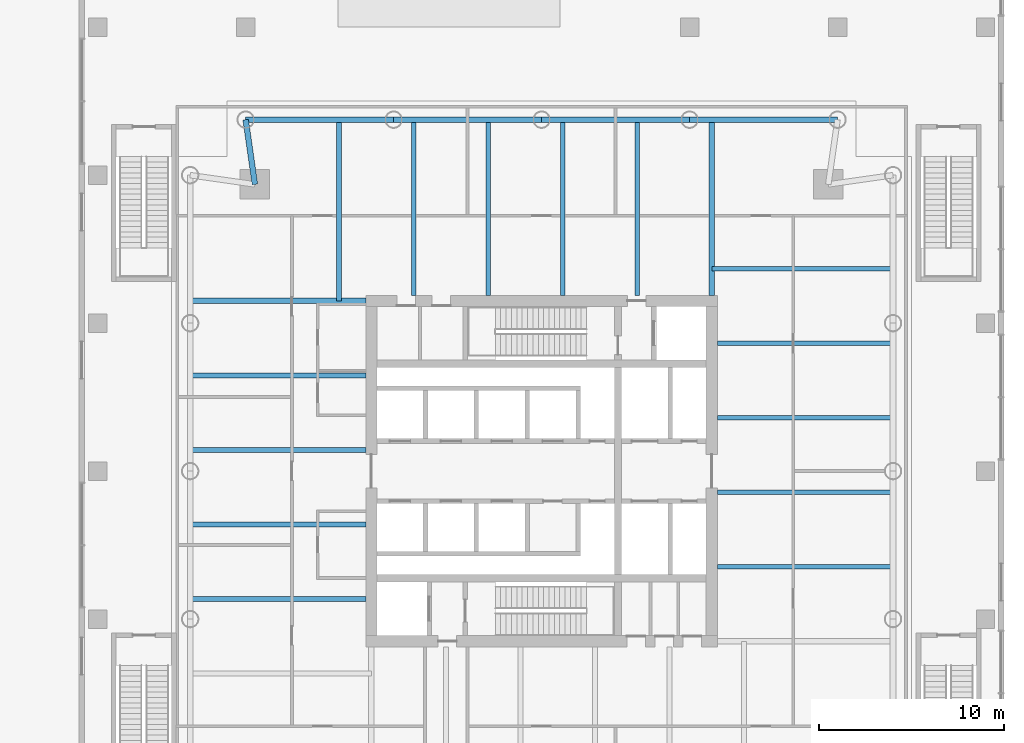
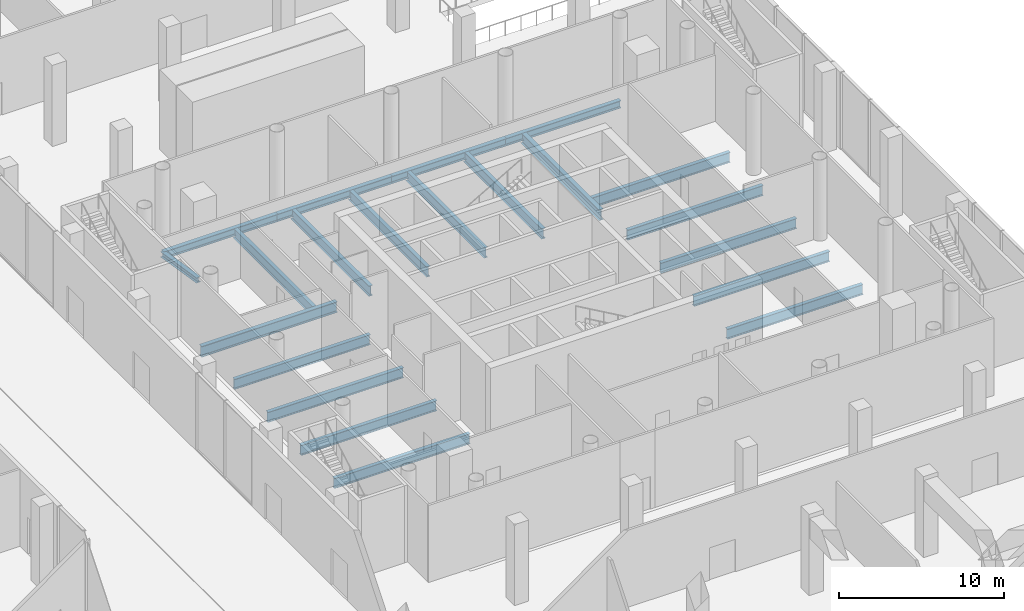
# One storey, part 13 of 39: 21 beams.
"""IFC4 building model written with IfcOpenShell, lengths in metres."""

from ifc_helpers import new_model, si_unit, direction, frame, origin, origin_2d, place, context, subcontext, project, spatial, i_section, extrude, material, material_profile, profile_set, type_object, element, save


model = new_model("IFC4")

# Units and contexts
model_context = context("Model", 3, precision=1e-05, world=origin(), true_north=direction((0.0, 1.0)))
body_context = subcontext(model_context, "Body", "Model", "MODEL_VIEW")
ifc_project = project(units=[si_unit("LENGTHUNIT", "METRE"), si_unit("AREAUNIT", "SQUARE_METRE"), si_unit("VOLUMEUNIT", "CUBIC_METRE"), si_unit("PLANEANGLEUNIT", "RADIAN"), si_unit("MASSUNIT", "GRAM", prefix="KILO")], contexts=[model_context])

# Site, building, storey
site_placement = place(None, origin())
site = spatial("IfcSite", under=ifc_project, at=site_placement, CompositionType="ELEMENT")
building_placement = place(site_placement, origin())
building = spatial("IfcBuilding", under=site, at=building_placement, Name="Ostroluk Exchange", CompositionType="ELEMENT")
storey_placement = place(building_placement, origin())
storey = spatial("IfcBuildingStorey", under=building, at=storey_placement, Name="L00", CompositionType="ELEMENT", Elevation=0.0)

# Beams
ifc_material_1 = material(Name="Steel S355", Category="steel")
ifc_material_profile_1 = material_profile(ifc_material_1, i_section(OverallWidth=0.300048828125, OverallDepth=0.39990234375, WebThickness=0.013427734375, FlangeThickness=0.02392578125, FilletRadius=0.027099609375, at=origin_2d()), Name="HEB 400")
ifc_profile_set_1 = profile_set([ifc_material_profile_1], Name="Steel S355")
beam_type_1 = type_object("IfcBeamType", Name="Corner edge beam HEB 400", PredefinedType="SPANDREL", material=ifc_profile_set_1)
beam_1_placement = place(storey_placement, frame((101.5, 61.5, -0.5), z_axis=(-0.141421356237, 0.989949493661, 0.0), x_axis=(-0.989949493661, -0.141421356237, 0.0)))
element("IfcBeam", 1, at=beam_1_placement, inside=storey, type_object=beam_type_1, Name="T2 north corner edge beam a", PredefinedType="SPANDREL", context=body_context, shape_type="SweptSolid", body=[
    extrude(i_section(OverallWidth=0.300048828125, OverallDepth=0.39990234375, WebThickness=0.013427734375, FlangeThickness=0.02392578125, FilletRadius=0.027099609375, at=origin_2d()), origin(), (0.0, 0.0, 1.0), 3.53564453125),
])
ifc_material_2 = material(Name="Steel S355", Category="steel")
ifc_material_profile_2 = material_profile(ifc_material_2, i_section(OverallWidth=0.264892578125, OverallDepth=0.7529296875, WebThickness=0.01318359375, FlangeThickness=0.01708984375, FilletRadius=0.01708984375, at=origin_2d()), Name="IPE 750x147")
ifc_profile_set_2 = profile_set([ifc_material_profile_2], Name="Steel S355")
beam_type_2 = type_object("IfcBeamType", Name="Floor beam IPE 750x147", PredefinedType="BEAM", material=ifc_profile_set_2)
for number, where, z_axis, x_axis, name in (
    (2, (126.5, 40.82861328125, -0.676513671875), (1.0, 0.0, 0.0), (0.0, 1.0, 0.0), "T2 east floor beam 1"),
    (3, (126.5, 44.857177734375, -0.676513671875), (1.0, 0.0, 0.0), (0.0, 1.0, 0.0), "T2 east floor beam 2"),
    (4, (126.5, 48.8857421875, -0.676513671875), (1.0, 0.0, 0.0), (0.0, 1.0, 0.0), "T2 east floor beam 3"),
    (5, (126.5, 52.914306640625, -0.676513671875), (1.0, 0.0, 0.0), (0.0, 1.0, 0.0), "T2 east floor beam 4"),
):
    element("IfcBeam", number, at=place(storey_placement, frame(where, z_axis=z_axis, x_axis=x_axis)), inside=storey, type_object=beam_type_2, Name=name, PredefinedType="BEAM", context=body_context, shape_type="SweptSolid", body=[
        extrude(i_section(OverallWidth=0.264892578125, OverallDepth=0.7529296875, WebThickness=0.01318359375, FlangeThickness=0.01708984375, FilletRadius=0.01708984375, at=origin_2d()), origin(), (0.0, 0.0, 1.0), 9.5),
    ])
beam_2_placement = place(storey_placement, frame((126.199951171875, 56.94287109375, -0.676513671875), z_axis=(1.0, 0.0, 0.0), x_axis=(0.0, 1.0, 0.0)))
element("IfcBeam", 6, at=beam_2_placement, inside=storey, type_object=beam_type_2, Name="T2 east floor beam 5", PredefinedType="BEAM", context=body_context, shape_type="SweptSolid", body=[
    extrude(i_section(OverallWidth=0.264892578125, OverallDepth=0.7529296875, WebThickness=0.01318359375, FlangeThickness=0.01708984375, FilletRadius=0.01708984375, at=origin_2d()), origin(), (0.0, 0.0, 1.0), 9.800048828125),
])
for number, where, z_axis, x_axis, name in (
    (7, (122.17138671875, 55.5, -0.676513671875), (0.0, 1.0, 0.0), (-1.0, 0.0, 0.0), "T2 north floor beam 1"),
    (8, (118.142822265625, 55.5, -0.676513671875), (0.0, 1.0, 0.0), (-1.0, 0.0, 0.0), "T2 north floor beam 2"),
    (9, (114.1142578125, 55.5, -0.676513671875), (0.0, 1.0, 0.0), (-1.0, 0.0, 0.0), "T2 north floor beam 3"),
    (10, (110.085693359375, 55.5, -0.676513671875), (0.0, 1.0, 0.0), (-1.0, 0.0, 0.0), "T2 north floor beam 4"),
):
    element("IfcBeam", number, at=place(storey_placement, frame(where, z_axis=z_axis, x_axis=x_axis)), inside=storey, type_object=beam_type_2, Name=name, PredefinedType="BEAM", context=body_context, shape_type="SweptSolid", body=[
        extrude(i_section(OverallWidth=0.264892578125, OverallDepth=0.7529296875, WebThickness=0.01318359375, FlangeThickness=0.01708984375, FilletRadius=0.01708984375, at=origin_2d()), origin(), (0.0, 0.0, 1.0), 9.5),
    ])
beam_3_placement = place(storey_placement, frame((106.05712890625, 55.199951171875, -0.676513671875), z_axis=(0.0, 1.0, 0.0), x_axis=(-1.0, 0.0, 0.0)))
element("IfcBeam", 11, at=beam_3_placement, inside=storey, type_object=beam_type_2, Name="T2 north floor beam 5", PredefinedType="BEAM", context=body_context, shape_type="SweptSolid", body=[
    extrude(i_section(OverallWidth=0.264892578125, OverallDepth=0.7529296875, WebThickness=0.01318359375, FlangeThickness=0.01708984375, FilletRadius=0.01708984375, at=origin_2d()), origin(), (0.0, 0.0, 1.0), 9.800048828125),
])
for number, where, z_axis, x_axis, name in (
    (12, (107.5, 51.17138671875, -0.676513671875), (-1.0, 0.0, 0.0), (0.0, -1.0, 0.0), "T2 west floor beam 1"),
    (13, (107.5, 47.142822265625, -0.676513671875), (-1.0, 0.0, 0.0), (0.0, -1.0, 0.0), "T2 west floor beam 2"),
    (14, (107.5, 43.1142578125, -0.676513671875), (-1.0, 0.0, 0.0), (0.0, -1.0, 0.0), "T2 west floor beam 3"),
    (15, (107.5, 39.085693359375, -0.676513671875), (-1.0, 0.0, 0.0), (0.0, -1.0, 0.0), "T2 west floor beam 4"),
):
    element("IfcBeam", number, at=place(storey_placement, frame(where, z_axis=z_axis, x_axis=x_axis)), inside=storey, type_object=beam_type_2, Name=name, PredefinedType="BEAM", context=body_context, shape_type="SweptSolid", body=[
        extrude(i_section(OverallWidth=0.264892578125, OverallDepth=0.7529296875, WebThickness=0.01318359375, FlangeThickness=0.01708984375, FilletRadius=0.01708984375, at=origin_2d()), origin(), (0.0, 0.0, 1.0), 9.5),
    ])
ifc_material_3 = material(Name="Steel S355", Category="steel")
ifc_material_profile_3 = material_profile(ifc_material_3, i_section(OverallWidth=0.300048828125, OverallDepth=0.800048828125, WebThickness=0.017578125, FlangeThickness=0.032958984375, FilletRadius=0.030029296875, at=origin_2d()), Name="HEB 800")
ifc_profile_set_3 = profile_set([ifc_material_profile_3], Name="Steel S355")
beam_type_3 = type_object("IfcBeamType", Name="Girder HEB 800", PredefinedType="BEAM", material=ifc_profile_set_3)
for number, where, z_axis, x_axis, name in (
    (16, (126.199951171875, 55.5, -0.699951171875), (0.0, 1.0, 0.0), (-1.0, 0.0, 0.0), "T2 east girder"),
    (17, (107.5, 55.199951171875, -0.699951171875), (-1.0, 0.0, 0.0), (0.0, -1.0, 0.0), "T2 north girder"),
):
    element("IfcBeam", number, at=place(storey_placement, frame(where, z_axis=z_axis, x_axis=x_axis)), inside=storey, type_object=beam_type_3, Name=name, PredefinedType="BEAM", context=body_context, shape_type="SweptSolid", body=[
        extrude(i_section(OverallWidth=0.300048828125, OverallDepth=0.800048828125, WebThickness=0.017578125, FlangeThickness=0.032958984375, FilletRadius=0.030029296875, at=origin_2d()), origin(), (0.0, 0.0, 1.0), 9.5),
    ])
ifc_material_4 = material(Name="Steel S355", Category="steel")
ifc_material_profile_4 = material_profile(ifc_material_4, i_section(OverallWidth=0.300048828125, OverallDepth=0.550048828125, WebThickness=0.014892578125, FlangeThickness=0.029052734375, FilletRadius=0.027099609375, at=origin_2d()), Name="HEB 550")
ifc_profile_set_4 = profile_set([ifc_material_profile_4], Name="Steel S355")
beam_type_4 = type_object("IfcBeamType", Name="Moment-connected edge beam HEB 550", PredefinedType="SPANDREL", material=ifc_profile_set_4)
for number, where, z_axis, x_axis, name in (
    (18, (133.0, 65.0, -0.574951171875), (-1.0, 0.0, 0.0), (0.0, -1.0, 0.0), "T2 north edge beam 1"),
    (19, (125.0, 65.0, -0.574951171875), (-1.0, 0.0, 0.0), (0.0, -1.0, 0.0), "T2 north edge beam 2"),
    (20, (117.0, 65.0, -0.574951171875), (-1.0, 0.0, 0.0), (0.0, -1.0, 0.0), "T2 north edge beam 3"),
    (21, (109.0, 65.0, -0.574951171875), (-1.0, 0.0, 0.0), (0.0, -1.0, 0.0), "T2 north edge beam 4"),
):
    element("IfcBeam", number, at=place(storey_placement, frame(where, z_axis=z_axis, x_axis=x_axis)), inside=storey, type_object=beam_type_4, Name=name, PredefinedType="SPANDREL", context=body_context, shape_type="SweptSolid", body=[
        extrude(i_section(OverallWidth=0.300048828125, OverallDepth=0.550048828125, WebThickness=0.014892578125, FlangeThickness=0.029052734375, FilletRadius=0.027099609375, at=origin_2d()), origin(), (0.0, 0.0, 1.0), 8.0),
    ])

save(model, "model.ifc")
